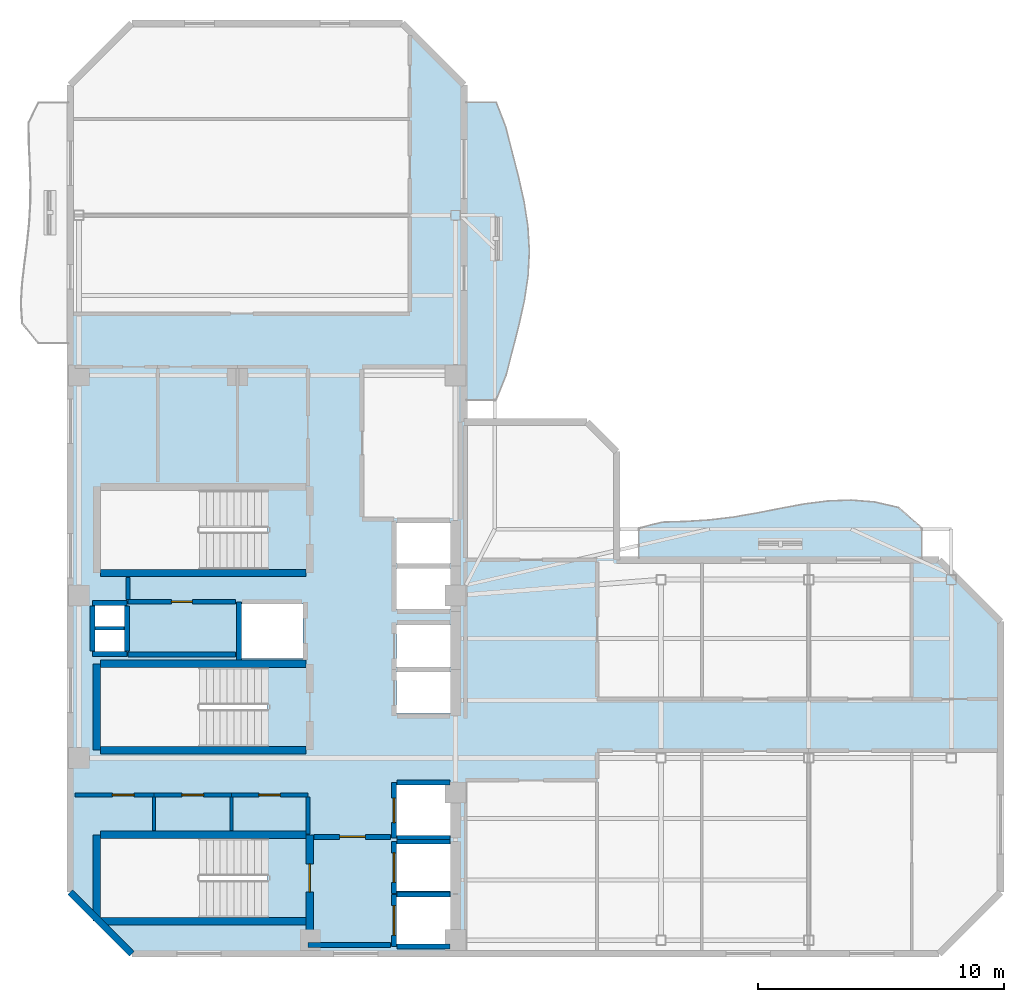
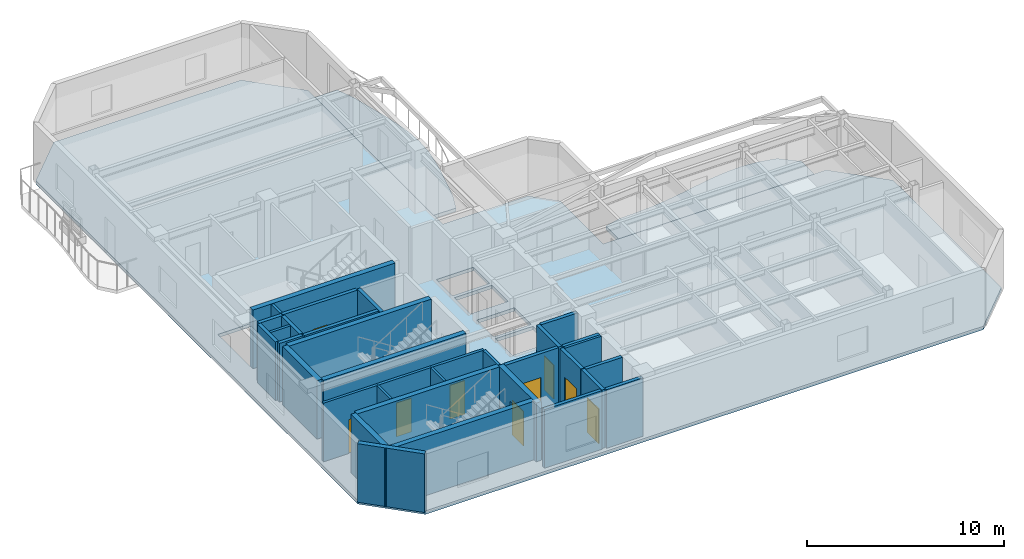
# One storey, part 2 of 7: 34 walls, 9 doors, 3 slabs, 9 openings.
"""IFC4 building model written with IfcOpenShell, lengths in metres."""

from ifc_helpers import new_model, si_unit, direction, frame, frame_2d, origin, place, context, subcontext, project, spatial, polyline, rectangle, outline, extrude, material, layer, layer_set, type_object, element, fill, save


model = new_model("IFC4")

# Units and contexts
model_context = context("Model", 3, precision=1e-05, world=origin(), true_north=direction((0.0, 1.0)))
body_context = subcontext(model_context, "Body", "Model", "MODEL_VIEW")
ifc_project = project(units=[si_unit("LENGTHUNIT", "METRE"), si_unit("AREAUNIT", "SQUARE_METRE"), si_unit("VOLUMEUNIT", "CUBIC_METRE"), si_unit("PLANEANGLEUNIT", "RADIAN"), si_unit("MASSUNIT", "GRAM", prefix="KILO")], contexts=[model_context])

# Site, building, storey
site_placement = place(None, origin())
site = spatial("IfcSite", under=ifc_project, at=site_placement, CompositionType="ELEMENT")
building_placement = place(site_placement, origin())
building = spatial("IfcBuilding", under=site, at=building_placement, Name="Mawjaban Terraces University", CompositionType="ELEMENT")
storey_placement = place(building_placement, frame((0.0, 0.0, 302.800048828125)))
storey = spatial("IfcBuildingStorey", under=building, at=storey_placement, Name="L74", CompositionType="ELEMENT", Elevation=302.800048828125)

# Slabs
ifc_material_1 = material(Name="Concrete C40/50", Category="concrete")
ifc_layer_1 = layer(ifc_material_1, 0.2099609375)
ifc_layer_set_1 = layer_set([ifc_layer_1], Name="Concrete C40/50")
slab_type_1 = type_object("IfcSlabType", Name="BalconySlab_210_Ext", PredefinedType="FLOOR", material=ifc_layer_set_1)
slab_1_placement = place(storey_placement, frame((0.0, 0.0, -0.2099609375)))
element("IfcSlab", 1, at=slab_1_placement, inside=storey, type_object=slab_type_1, Name="L74 Planted Balcony Slab inner_north", PredefinedType="FLOOR", context=body_context, shape_type="SweptSolid", body=[
    extrude(outline(polyline([(45.10009765625, 15.989990234375), (56.60009765625, 15.989990234375), (56.60009765625, 17.300048828125), (55.64208984375, 18.134033203125), (54.68310546875, 18.35400390625), (53.72509765625, 18.431884765625), (52.76708984375, 18.39501953125), (51.80810546875, 18.27099609375), (50.85009765625, 18.093994140625), (49.89208984375, 17.905029296875), (48.93310546875, 17.739990234375), (47.97509765625, 17.625), (47.01708984375, 17.56494140625), (46.05810546875, 17.535888671875), (45.10009765625, 17.300048828125), (45.10009765625, 15.989990234375)])), origin(), (0.0, 0.0, 1.0), 0.2099609375),
])
slab_2_placement = place(storey_placement, frame((0.0, 0.0, -0.2099609375)))
element("IfcSlab", 2, at=slab_2_placement, inside=storey, type_object=slab_type_1, Name="L74 Planted Balcony Slab inner_east", PredefinedType="FLOOR", context=body_context, shape_type="SweptSolid", body=[
    extrude(outline(polyline([(39.300048828125, 22.5), (39.7060546875, 23.508056640625), (39.965087890625, 24.51708984375), (40.222900390625, 25.52490234375), (40.447021484375, 26.532958984375), (40.59912109375, 27.5419921875), (40.64990234375, 28.550048828125), (40.591064453125, 29.55810546875), (40.43408203125, 30.56689453125), (40.20703125, 31.574951171875), (39.948974609375, 32.5830078125), (39.695068359375, 33.592041015625), (39.300048828125, 34.60009765625), (37.989990234375, 34.60009765625), (37.989990234375, 22.5), (39.300048828125, 22.5)])), origin(), (0.0, 0.0, 1.0), 0.2099609375),
])
ifc_layer_2 = layer(ifc_material_1, 0.2099609375)
ifc_layer_set_2 = layer_set([ifc_layer_2], Name="Concrete C40/50")
slab_type_2 = type_object("IfcSlabType", Name="CompositeSlab_210", PredefinedType="FLOOR", material=ifc_layer_set_2)
slab_3_placement = place(storey_placement, frame((0.0, 0.0, -0.2099609375)))
element("IfcSlab", 3, at=slab_3_placement, inside=storey, type_object=slab_type_2, Name="L74 Primary Structural Slab", PredefinedType="FLOOR", context=body_context, shape_type="SweptSolid", body=[
    extrude(outline(polyline([(24.5, 0.0), (57.300048828125, 0.0), (59.800048828125, 2.5), (59.800048828125, 13.5), (57.300048828125, 16.0), (44.199951171875, 16.0), (44.199951171875, 20.39990234375), (43.0, 21.60009765625), (38.0, 21.60009765625), (38.0, 35.300048828125), (35.5, 37.800048828125), (24.5, 37.800048828125), (22.0, 35.300048828125), (22.0, 2.5), (24.5, 0.0)]), holes=[polyline([(30.014892578125, 4.699951171875), (23.199951171875, 4.699951171875), (23.199951171875, 1.449951171875), (30.014892578125, 1.449951171875), (30.014892578125, 4.699951171875)]), polyline([(30.014892578125, 18.85009765625), (23.199951171875, 18.85009765625), (23.199951171875, 15.60009765625), (30.014892578125, 15.60009765625), (30.014892578125, 18.85009765625)]), polyline([(30.014892578125, 11.64990234375), (23.199951171875, 11.64990234375), (23.199951171875, 8.39990234375), (30.014892578125, 8.39990234375), (30.014892578125, 11.64990234375)]), polyline([(35.25, 0.39990234375), (37.449951171875, 0.39990234375), (37.449951171875, 2.300048828125), (35.25, 2.300048828125), (35.25, 0.39990234375)]), polyline([(35.25, 2.550048828125), (37.449951171875, 2.550048828125), (37.449951171875, 4.449951171875), (35.25, 4.449951171875), (35.25, 2.550048828125)]), polyline([(35.25, 4.800048828125), (37.449951171875, 4.800048828125), (37.449951171875, 6.85009765625), (35.25, 6.85009765625), (35.25, 4.800048828125)]), polyline([(35.25, 9.75), (37.449951171875, 9.75), (37.449951171875, 11.449951171875), (35.25, 11.449951171875), (35.25, 9.75)]), polyline([(35.25, 11.64990234375), (37.449951171875, 11.64990234375), (37.449951171875, 13.35009765625), (35.25, 13.35009765625), (35.25, 11.64990234375)]), polyline([(28.949951171875, 12.0), (31.449951171875, 12.0), (31.449951171875, 14.199951171875), (28.949951171875, 14.199951171875), (28.949951171875, 12.0)]), polyline([(35.25, 14.0), (37.449951171875, 14.0), (37.449951171875, 15.64990234375), (35.25, 15.64990234375), (35.25, 14.0)]), polyline([(35.25, 15.85009765625), (37.449951171875, 15.85009765625), (37.449951171875, 17.5), (35.25, 17.5), (35.25, 15.85009765625)]), polyline([(23.0, 12.25), (24.199951171875, 12.25), (24.199951171875, 13.14990234375), (23.0, 13.14990234375), (23.0, 12.25)]), polyline([(23.0, 13.300048828125), (24.199951171875, 13.300048828125), (24.199951171875, 14.179931640625), (23.0, 14.179931640625), (23.0, 13.300048828125)])]), origin(), (0.0, 0.0, 1.0), 0.2099609375),
])

# Wall, opening, door
ifc_material_2 = material(Name="Fire-rated gypsum board on steel stud", Category="steel")
ifc_layer_3 = layer(ifc_material_2, 0.159912109375)
ifc_layer_set_3 = layer_set([ifc_layer_3], Name="Fire-rated gypsum board on steel stud")
wall_type_1 = type_object("IfcWallType", Name="CorridorPartition_160", PredefinedType="PARTITIONING", material=ifc_layer_set_3)
wall_1_placement = place(storey_placement, frame((22.199951171875, 6.449951171875, 0.0), z_axis=(0.0, 0.0, 1.0), x_axis=(1.0, 0.0, 0.0)))
wall_1 = element("IfcWall", 4, at=wall_1_placement, inside=storey, type_object=wall_type_1, Name="L74 Core Washroom Lobby Partition 1", PredefinedType="PARTITIONING", context=body_context, shape_type="SweptSolid", body=[
    extrude(rectangle(XDim=3.199951171875, YDim=0.159912109375, at=frame_2d((1.60009765625, 0.0))), origin(), (0.0, 0.0, 1.0), 3.639892578125),
])
opening_1_placement = place(wall_1_placement, frame((1.510009765625, 0.0, 0.0)))
opening_1 = element("IfcOpeningElement", 5, at=opening_1_placement, cuts=wall_1, Name="Opening ID-088", PredefinedType="OPENING", context=body_context, shape_type="SweptSolid", body=[
    extrude(rectangle(XDim=0.8798828125, YDim=2.10009765625, at=frame_2d((0.43994140625, 1.050048828125))), frame((0.0, 0.08984375, 0.0), z_axis=(0.0, -1.0, 0.0), x_axis=(1.0, 0.0, 0.0)), (0.0, 0.0, 1.0), 0.179931640625),
])
ifc_material_3 = material(Name="Powder-coated steel frame and solid acoustic timber leaf", Category="steel")
door_type_1 = type_object("IfcDoorType", Name="ToiletDoor_880x2100", OperationType="NOTDEFINED", PredefinedType="DOOR", material=ifc_material_3)
door_1_placement = place(opening_1_placement, origin())
door_1 = element("IfcDoor", 6, at=door_1_placement, inside=storey, type_object=door_type_1, Name="L74 Male Toilet Door", OperationType="SINGLE_SWING_RIGHT", OverallHeight=2.10009765625, OverallWidth=0.8798828125, PredefinedType="DOOR", context=body_context, shape_type="SweptSolid", body=[
    extrude(rectangle(XDim=0.8798828125, YDim=2.10009765625, at=frame_2d((0.43994140625, 1.050048828125))), frame((0.0, 0.02490234375, 0.0), z_axis=(0.0, -1.0, 0.0), x_axis=(1.0, 0.0, 0.0)), (0.0, 0.0, 1.0), 0.050048828125),
])
fill(opening_1, door_1)

wall_2_placement = place(storey_placement, frame((25.39990234375, 6.449951171875, 0.0), z_axis=(0.0, 0.0, 1.0), x_axis=(1.0, 0.0, 0.0)))
wall_2 = element("IfcWall", 7, at=wall_2_placement, inside=storey, type_object=wall_type_1, Name="L74 Core Washroom Lobby Partition 4", PredefinedType="PARTITIONING", context=body_context, shape_type="SweptSolid", body=[
    extrude(rectangle(XDim=3.150146484375, YDim=0.159912109375, at=frame_2d((1.5751953125, 0.0))), origin(), (0.0, 0.0, 1.0), 3.639892578125),
])
opening_2_placement = place(wall_2_placement, frame((1.135009765625, 0.0, 0.0)))
opening_2 = element("IfcOpeningElement", 8, at=opening_2_placement, cuts=wall_2, Name="Opening ID-088", PredefinedType="OPENING", context=body_context, shape_type="SweptSolid", body=[
    extrude(rectangle(XDim=0.8798828125, YDim=2.10009765625, at=frame_2d((0.43994140625, 1.050048828125))), frame((0.0, 0.08984375, 0.0), z_axis=(0.0, -1.0, 0.0), x_axis=(1.0, 0.0, 0.0)), (0.0, 0.0, 1.0), 0.179931640625),
])
door_2_placement = place(opening_2_placement, origin())
door_2 = element("IfcDoor", 9, at=door_2_placement, inside=storey, type_object=door_type_1, Name="L74 Female Toilet Door", OperationType="SINGLE_SWING_LEFT", OverallHeight=2.10009765625, OverallWidth=0.8798828125, PredefinedType="DOOR", context=body_context, shape_type="SweptSolid", body=[
    extrude(rectangle(XDim=0.8798828125, YDim=2.10009765625, at=frame_2d((0.43994140625, 1.050048828125))), frame((0.0, 0.02490234375, 0.0), z_axis=(0.0, -1.0, 0.0), x_axis=(1.0, 0.0, 0.0)), (0.0, 0.0, 1.0), 0.050048828125),
])
fill(opening_2, door_2)

wall_3_placement = place(storey_placement, frame((28.550048828125, 6.449951171875, 0.0), z_axis=(0.0, 0.0, 1.0), x_axis=(1.0, 0.0, 0.0)))
wall_3 = element("IfcWall", 10, at=wall_3_placement, inside=storey, type_object=wall_type_1, Name="L74 Core Washroom Lobby Partition 6", PredefinedType="PARTITIONING", context=body_context, shape_type="SweptSolid", body=[
    extrude(rectangle(XDim=3.099853515625, YDim=0.159912109375, at=frame_2d((1.5498046875, 0.0))), origin(), (0.0, 0.0, 1.0), 3.639892578125),
])
opening_3_placement = place(wall_3_placement, frame((1.110107421875, 0.0, 0.0)))
opening_3 = element("IfcOpeningElement", 11, at=opening_3_placement, cuts=wall_3, Name="Opening ID-088", PredefinedType="OPENING", context=body_context, shape_type="SweptSolid", body=[
    extrude(rectangle(XDim=0.8798828125, YDim=2.10009765625, at=frame_2d((0.43994140625, 1.050048828125))), frame((0.0, 0.08984375, 0.0), z_axis=(0.0, -1.0, 0.0), x_axis=(1.0, 0.0, 0.0)), (0.0, 0.0, 1.0), 0.179931640625),
])
door_3_placement = place(opening_3_placement, origin())
door_3 = element("IfcDoor", 12, at=door_3_placement, inside=storey, type_object=door_type_1, Name="L74 Accessible Toilet Door", OperationType="SINGLE_SWING_RIGHT", OverallHeight=2.10009765625, OverallWidth=0.8798828125, PredefinedType="DOOR", context=body_context, shape_type="SweptSolid", body=[
    extrude(rectangle(XDim=0.8798828125, YDim=2.10009765625, at=frame_2d((0.43994140625, 1.050048828125))), frame((0.0, 0.02490234375, 0.0), z_axis=(0.0, -1.0, 0.0), x_axis=(1.0, 0.0, 0.0)), (0.0, 0.0, 1.0), 0.050048828125),
])
fill(opening_3, door_3)

# Walls
wall_4_placement = place(storey_placement, frame((24.35009765625, 15.2900390625, 0.0), z_axis=(0.0, 0.0, 1.0), x_axis=(0.0, -1.0, 0.0)))
element("IfcWall", 13, at=wall_4_placement, inside=storey, type_object=wall_type_1, Name="L74 Core Riser Access Passage Partition 26", PredefinedType="PARTITIONING", context=body_context, shape_type="SweptSolid", body=[
    extrude(rectangle(XDim=0.89501953125, YDim=0.159912109375, at=frame_2d((0.447509765625, 0.0))), origin(), (0.0, 0.0, 1.0), 3.639892578125),
])
wall_5_placement = place(storey_placement, frame((31.64990234375, 4.860107421875, 0.0), z_axis=(0.0, 0.0, 1.0), x_axis=(0.0, 1.0, 0.0)))
element("IfcWall", 14, at=wall_5_placement, inside=storey, type_object=wall_type_1, Name="L74 Accessible Toilet Partition 31", PredefinedType="PARTITIONING", context=body_context, shape_type="SweptSolid", body=[
    extrude(rectangle(XDim=1.514892578125, YDim=0.159912109375, at=frame_2d((0.75732421875, 0.0))), origin(), (0.0, 0.0, 1.0), 3.639892578125),
])
ifc_material_4 = material(Name="Insulated terracotta rainscreen on concrete backup C40/50", Category="masonry")
ifc_layer_4 = layer(ifc_material_4, 0.27490234375)
ifc_layer_set_4 = layer_set([ifc_layer_4], Name="Insulated terracotta rainscreen on concrete backup C40/50")
wall_type_2 = type_object("IfcWallType", Name="ExtTerracottaWall_275", PredefinedType="SOLIDWALL", material=ifc_layer_set_4)
wall_6_placement = place(storey_placement, frame((22.0, 2.5, 0.0), z_axis=(0.0, 0.0, 1.0), x_axis=(0.707106781187, -0.707106781187, 0.0)))
element("IfcWall", 15, at=wall_6_placement, inside=storey, type_object=wall_type_2, Name="L74 Exterior Terracotta Wall 14", PredefinedType="SOLIDWALL", context=body_context, shape_type="SweptSolid", body=[
    extrude(rectangle(XDim=3.53564453125, YDim=0.27490234375, at=frame_2d((1.767822265625, 0.0))), origin(), (0.0, 0.0, 1.0), 3.639892578125),
])

# Wall, opening, door
ifc_layer_5 = layer(ifc_material_1, 0.199951171875)
ifc_layer_set_5 = layer_set([ifc_layer_5], Name="Concrete C40/50")
wall_type_3 = type_object("IfcWallType", Name="FireLobbyWall_200", PredefinedType="SOLIDWALL", material=ifc_layer_set_5)
wall_7_placement = place(storey_placement, frame((35.14990234375, 2.39990234375, 0.0), z_axis=(0.0, 0.0, 1.0), x_axis=(0.0, -1.0, 0.0)))
wall_7 = element("IfcWall", 16, at=wall_7_placement, inside=storey, type_object=wall_type_3, Name="L74 Lift FL-1 Hoistway Wall West", PredefinedType="SOLIDWALL", context=body_context, shape_type="SweptSolid", body=[
    extrude(rectangle(XDim=2.099853515625, YDim=0.199951171875, at=frame_2d((1.0498046875, 0.0))), origin(), (0.0, 0.0, 1.0), 3.639892578125),
])
opening_4_placement = place(wall_7_placement, frame((0.449951171875, 0.0, 0.0)))
opening_4 = element("IfcOpeningElement", 17, at=opening_4_placement, cuts=wall_7, Name="Opening LD-FL-1", PredefinedType="OPENING", context=body_context, shape_type="SweptSolid", body=[
    extrude(rectangle(XDim=1.199951171875, YDim=2.14990234375, at=frame_2d((0.60009765625, 1.074951171875))), frame((0.0, 0.10986328125, 0.0), z_axis=(0.0, -1.0, 0.0), x_axis=(1.0, 0.0, 0.0)), (0.0, 0.0, 1.0), 0.219970703125),
])
ifc_material_5 = material(Name="Powder-coated steel frame and fire-rated steel-faced leaf", Category="steel")
door_type_2 = type_object("IfcDoorType", Name="LiftLandingFSAE_1200x2150", OperationType="NOTDEFINED", PredefinedType="DOOR", material=ifc_material_5)
door_4_placement = place(opening_4_placement, origin())
door_4 = element("IfcDoor", 18, at=door_4_placement, inside=storey, type_object=door_type_2, Name="L74 Lift FL-1 Sliding Landing Door", OperationType="DOUBLE_DOOR_SLIDING", OverallHeight=2.14990234375, OverallWidth=1.199951171875, PredefinedType="DOOR", context=body_context, shape_type="SweptSolid", body=[
    extrude(rectangle(XDim=1.199951171875, YDim=2.14990234375, at=frame_2d((0.60009765625, 1.074951171875))), frame((0.0, 0.02490234375, 0.0), z_axis=(0.0, -1.0, 0.0), x_axis=(1.0, 0.0, 0.0)), (0.0, 0.0, 1.0), 0.050048828125),
])
fill(opening_4, door_4)

# Walls
for number, where, z_axis, x_axis, name in (
    (19, (35.280029296875, 0.300048828125, 0.0), (0.0, 0.0, 1.0), (1.0, 0.0, 0.0), "L74 Lift FL-1 Hoistway Wall South"),
    (20, (37.419921875, 2.39990234375, 0.0), (0.0, 0.0, 1.0), (-1.0, 0.0, 0.0), "L74 Lift FL-1 Hoistway Wall North"),
):
    element("IfcWall", number, at=place(storey_placement, frame(where, z_axis=z_axis, x_axis=x_axis)), inside=storey, type_object=wall_type_3, Name=name, PredefinedType="SOLIDWALL", context=body_context, shape_type="SweptSolid", body=[
        extrude(rectangle(XDim=2.139892578125, YDim=0.199951171875, at=frame_2d((1.06982421875, 0.0))), origin(), (0.0, 0.0, 1.0), 3.639892578125),
    ])

# Wall, opening, door
wall_8_placement = place(storey_placement, frame((35.14990234375, 4.550048828125, 0.0), z_axis=(0.0, 0.0, 1.0), x_axis=(0.0, -1.0, 0.0)))
wall_8 = element("IfcWall", 21, at=wall_8_placement, inside=storey, type_object=wall_type_3, Name="L74 Lift FL-2 Hoistway Wall West", PredefinedType="SOLIDWALL", context=body_context, shape_type="SweptSolid", body=[
    extrude(rectangle(XDim=2.10009765625, YDim=0.199951171875, at=frame_2d((1.050048828125, 0.0))), origin(), (0.0, 0.0, 1.0), 3.639892578125),
])
opening_5_placement = place(wall_8_placement, frame((0.449951171875, 0.0, 0.0)))
opening_5 = element("IfcOpeningElement", 22, at=opening_5_placement, cuts=wall_8, Name="Opening LD-FL-2", PredefinedType="OPENING", context=body_context, shape_type="SweptSolid", body=[
    extrude(rectangle(XDim=1.199951171875, YDim=2.14990234375, at=frame_2d((0.60009765625, 1.074951171875))), frame((0.0, 0.10986328125, 0.0), z_axis=(0.0, -1.0, 0.0), x_axis=(1.0, 0.0, 0.0)), (0.0, 0.0, 1.0), 0.219970703125),
])
door_5_placement = place(opening_5_placement, origin())
door_5 = element("IfcDoor", 23, at=door_5_placement, inside=storey, type_object=door_type_2, Name="L74 Lift FL-2 Sliding Landing Door", OperationType="DOUBLE_DOOR_SLIDING", OverallHeight=2.14990234375, OverallWidth=1.199951171875, PredefinedType="DOOR", context=body_context, shape_type="SweptSolid", body=[
    extrude(rectangle(XDim=1.199951171875, YDim=2.14990234375, at=frame_2d((0.60009765625, 1.074951171875))), frame((0.0, 0.02490234375, 0.0), z_axis=(0.0, -1.0, 0.0), x_axis=(1.0, 0.0, 0.0)), (0.0, 0.0, 1.0), 0.050048828125),
])
fill(opening_5, door_5)

# Wall
wall_9_placement = place(storey_placement, frame((37.419921875, 4.550048828125, 0.0), z_axis=(0.0, 0.0, 1.0), x_axis=(-1.0, 0.0, 0.0)))
element("IfcWall", 24, at=wall_9_placement, inside=storey, type_object=wall_type_3, Name="L74 Lift FL-2 Hoistway Wall North", PredefinedType="SOLIDWALL", context=body_context, shape_type="SweptSolid", body=[
    extrude(rectangle(XDim=2.139892578125, YDim=0.199951171875, at=frame_2d((1.06982421875, 0.0))), origin(), (0.0, 0.0, 1.0), 3.639892578125),
])

# Wall, opening, door
wall_10_placement = place(storey_placement, frame((35.14990234375, 6.949951171875, 0.0), z_axis=(0.0, 0.0, 1.0), x_axis=(0.0, -1.0, 0.0)))
wall_10 = element("IfcWall", 25, at=wall_10_placement, inside=storey, type_object=wall_type_3, Name="L74 Lift SL-1 Hoistway Wall West", PredefinedType="SOLIDWALL", context=body_context, shape_type="SweptSolid", body=[
    extrude(rectangle(XDim=2.25, YDim=0.199951171875, at=frame_2d((1.125, 0.0))), origin(), (0.0, 0.0, 1.0), 3.639892578125),
])
opening_6_placement = place(wall_10_placement, frame((0.625, 0.0, 0.0)))
opening_6 = element("IfcOpeningElement", 26, at=opening_6_placement, cuts=wall_10, Name="Opening LD-SL-1", PredefinedType="OPENING", context=body_context, shape_type="SweptSolid", body=[
    extrude(rectangle(XDim=1.0, YDim=2.10009765625, at=frame_2d((0.5, 1.050048828125))), frame((0.0, 0.10986328125, 0.0), z_axis=(0.0, -1.0, 0.0), x_axis=(1.0, 0.0, 0.0)), (0.0, 0.0, 1.0), 0.219970703125),
])
door_type_3 = type_object("IfcDoorType", Name="LiftLandingSliding_1000x2100", OperationType="NOTDEFINED", PredefinedType="DOOR", material=ifc_material_5)
door_6_placement = place(opening_6_placement, origin())
door_6 = element("IfcDoor", 27, at=door_6_placement, inside=storey, type_object=door_type_3, Name="L74 Lift SL-1 Sliding Landing Door", OperationType="DOUBLE_DOOR_SLIDING", OverallHeight=2.10009765625, OverallWidth=1.0, PredefinedType="DOOR", context=body_context, shape_type="SweptSolid", body=[
    extrude(rectangle(XDim=1.0, YDim=2.10009765625, at=frame_2d((0.5, 1.050048828125))), frame((0.0, 0.02490234375, 0.0), z_axis=(0.0, -1.0, 0.0), x_axis=(1.0, 0.0, 0.0)), (0.0, 0.0, 1.0), 0.050048828125),
])
fill(opening_6, door_6)

# Walls
for number, where, z_axis, x_axis, name in (
    (28, (35.280029296875, 4.699951171875, 0.0), (0.0, 0.0, 1.0), (1.0, 0.0, 0.0), "L74 Lift SL-1 Hoistway Wall South"),
    (29, (37.419921875, 6.949951171875, 0.0), (0.0, 0.0, 1.0), (-1.0, 0.0, 0.0), "L74 Lift SL-1 Hoistway Wall North"),
):
    element("IfcWall", number, at=place(storey_placement, frame(where, z_axis=z_axis, x_axis=x_axis)), inside=storey, type_object=wall_type_3, Name=name, PredefinedType="SOLIDWALL", context=body_context, shape_type="SweptSolid", body=[
        extrude(rectangle(XDim=2.139892578125, YDim=0.199951171875, at=frame_2d((1.06982421875, 0.0))), origin(), (0.0, 0.0, 1.0), 3.639892578125),
    ])
wall_11_placement = place(storey_placement, frame((28.85009765625, 14.300048828125, 0.0), z_axis=(0.0, 0.0, 1.0), x_axis=(0.0, -1.0, 0.0)))
element("IfcWall", 30, at=wall_11_placement, inside=storey, type_object=wall_type_3, Name="L74 Lift PL-H3 Hoistway Wall West", PredefinedType="SOLIDWALL", context=body_context, shape_type="SweptSolid", body=[
    extrude(rectangle(XDim=2.3701171875, YDim=0.199951171875, at=frame_2d((1.18505859375, 0.0))), origin(), (0.0, 0.0, 1.0), 3.639892578125),
])
for number, where, z_axis, x_axis, name in (
    (31, (22.89990234375, 14.25, 0.0), (0.0, 0.0, 1.0), (1.0, 0.0, 0.0), "L74 MEP Riser Shaft Wall N"),
    (32, (22.89990234375, 12.179931640625, 0.0), (0.0, 0.0, 1.0), (1.0, 0.0, 0.0), "L74 MEP Riser Shaft Wall S"),
):
    element("IfcWall", number, at=place(storey_placement, frame(where, z_axis=z_axis, x_axis=x_axis)), inside=storey, type_object=wall_type_3, Name=name, PredefinedType="SOLIDWALL", context=body_context, shape_type="SweptSolid", body=[
        extrude(rectangle(XDim=1.400146484375, YDim=0.199951171875, at=frame_2d((0.7001953125, 0.0))), origin(), (0.0, 0.0, 1.0), 3.639892578125),
    ])
for number, where, z_axis, x_axis, name in (
    (33, (24.300048828125, 12.300048828125, 0.0), (0.0, 0.0, 1.0), (0.0, 1.0, 0.0), "L74 MEP Riser Shaft Wall E"),
    (34, (22.89990234375, 12.300048828125, 0.0), (0.0, 0.0, 1.0), (0.0, 1.0, 0.0), "L74 MEP Riser Shaft Wall W"),
):
    element("IfcWall", number, at=place(storey_placement, frame(where, z_axis=z_axis, x_axis=x_axis)), inside=storey, type_object=wall_type_3, Name=name, PredefinedType="SOLIDWALL", context=body_context, shape_type="SweptSolid", body=[
        extrude(rectangle(XDim=1.829833984375, YDim=0.199951171875, at=frame_2d((0.9150390625, 0.0))), origin(), (0.0, 0.0, 1.0), 3.639892578125),
    ])
wall_12_placement = place(storey_placement, frame((24.35009765625, 12.14990234375, 0.0), z_axis=(0.0, 0.0, 1.0), x_axis=(1.0, 0.0, 0.0)))
element("IfcWall", 35, at=wall_12_placement, inside=storey, type_object=wall_type_3, Name="L74 IT and Telecoms Riser Room Partition 2", PredefinedType="SOLIDWALL", context=body_context, shape_type="SweptSolid", body=[
    extrude(rectangle(XDim=4.369873046875, YDim=0.199951171875, at=frame_2d((2.18505859375, 0.0))), origin(), (0.0, 0.0, 1.0), 3.639892578125),
])

# Wall, opening, door
wall_13_placement = place(storey_placement, frame((24.35009765625, 14.300048828125, 0.0), z_axis=(0.0, 0.0, 1.0), x_axis=(1.0, 0.0, 0.0)))
wall_13 = element("IfcWall", 36, at=wall_13_placement, inside=storey, type_object=wall_type_3, Name="L74 Core Riser Access Passage Partition 3", PredefinedType="SOLIDWALL", context=body_context, shape_type="SweptSolid", body=[
    extrude(rectangle(XDim=4.369873046875, YDim=0.199951171875, at=frame_2d((2.18505859375, 0.0))), origin(), (0.0, 0.0, 1.0), 3.639892578125),
])
opening_7_placement = place(wall_13_placement, frame((1.760009765625, 0.0, 0.0)))
opening_7 = element("IfcOpeningElement", 37, at=opening_7_placement, cuts=wall_13, Name="Opening FD-085", PredefinedType="OPENING", context=body_context, shape_type="SweptSolid", body=[
    extrude(rectangle(XDim=0.85009765625, YDim=2.10009765625, at=frame_2d((0.425048828125, 1.050048828125))), frame((0.0, 0.10986328125, 0.0), z_axis=(0.0, -1.0, 0.0), x_axis=(1.0, 0.0, 0.0)), (0.0, 0.0, 1.0), 0.219970703125),
])
door_type_4 = type_object("IfcDoorType", Name="FireRiserDoor_850x2100", OperationType="NOTDEFINED", PredefinedType="DOOR", material=ifc_material_5)
door_7_placement = place(opening_7_placement, origin())
door_7 = element("IfcDoor", 38, at=door_7_placement, inside=storey, type_object=door_type_4, Name="L74 IT and Telecoms Riser Room Door", OperationType="SINGLE_SWING_LEFT", OverallHeight=2.10009765625, OverallWidth=0.85009765625, PredefinedType="DOOR", context=body_context, shape_type="SweptSolid", body=[
    extrude(rectangle(XDim=0.85009765625, YDim=2.10009765625, at=frame_2d((0.425048828125, 1.050048828125))), frame((0.0, 0.02490234375, 0.0), z_axis=(0.0, -1.0, 0.0), x_axis=(1.0, 0.0, 0.0)), (0.0, 0.0, 1.0), 0.050048828125),
])
fill(opening_7, door_7)

# Wall
wall_14_placement = place(storey_placement, frame((31.64990234375, 0.35009765625, 0.0), z_axis=(0.0, 0.0, 1.0), x_axis=(1.0, 0.0, 0.0)))
element("IfcWall", 39, at=wall_14_placement, inside=storey, type_object=wall_type_3, Name="L74 Firefighting Lift Lobby Partition 8", PredefinedType="SOLIDWALL", context=body_context, shape_type="SweptSolid", body=[
    extrude(rectangle(XDim=3.3701171875, YDim=0.199951171875, at=frame_2d((1.68505859375, 0.0))), origin(), (0.0, 0.0, 1.0), 3.639892578125),
])

# Wall, opening, door
wall_15_placement = place(storey_placement, frame((35.02001953125, 4.75, 0.0), z_axis=(0.0, 0.0, 1.0), x_axis=(-1.0, 0.0, 0.0)))
wall_15 = element("IfcWall", 40, at=wall_15_placement, inside=storey, type_object=wall_type_3, Name="L74 Firefighting Lift Lobby Partition 11", PredefinedType="SOLIDWALL", context=body_context, shape_type="SweptSolid", body=[
    extrude(rectangle(XDim=3.110107421875, YDim=0.199951171875, at=frame_2d((1.55517578125, 0.0))), origin(), (0.0, 0.0, 1.0), 3.639892578125),
])
opening_8_placement = place(wall_15_placement, frame((1.030029296875, 0.0, 0.0)))
opening_8 = element("IfcOpeningElement", 41, at=opening_8_placement, cuts=wall_15, Name="Opening FD-105", PredefinedType="OPENING", context=body_context, shape_type="SweptSolid", body=[
    extrude(rectangle(XDim=1.050048828125, YDim=2.14990234375, at=frame_2d((0.52490234375, 1.074951171875))), frame((0.0, 0.10986328125, 0.0), z_axis=(0.0, -1.0, 0.0), x_axis=(1.0, 0.0, 0.0)), (0.0, 0.0, 1.0), 0.219970703125),
])
door_type_5 = type_object("IfcDoorType", Name="FireLobbyDoor_1050x2150", OperationType="NOTDEFINED", PredefinedType="DOOR", material=ifc_material_5)
door_8_placement = place(opening_8_placement, origin())
door_8 = element("IfcDoor", 42, at=door_8_placement, inside=storey, type_object=door_type_5, Name="L74 Firefighting Lift Lobby Door", OperationType="SINGLE_SWING_LEFT", OverallHeight=2.14990234375, OverallWidth=1.050048828125, PredefinedType="DOOR", context=body_context, shape_type="SweptSolid", body=[
    extrude(rectangle(XDim=1.050048828125, YDim=2.14990234375, at=frame_2d((0.52490234375, 1.074951171875))), frame((0.0, 0.02490234375, 0.0), z_axis=(0.0, -1.0, 0.0), x_axis=(1.0, 0.0, 0.0)), (0.0, 0.0, 1.0), 0.050048828125),
])
fill(opening_8, door_8)

# Walls
ifc_material_6 = material(Name="Moisture-resistant gypsum board on steel stud", Category="steel")
ifc_layer_6 = layer(ifc_material_6, 0.14501953125)
ifc_layer_set_6 = layer_set([ifc_layer_6], Name="Moisture-resistant gypsum board on steel stud")
wall_type_4 = type_object("IfcWallType", Name="LabPartition_145", PredefinedType="PARTITIONING", material=ifc_layer_set_6)
wall_16_placement = place(storey_placement, frame((23.010009765625, 13.22509765625, 0.0), z_axis=(0.0, 0.0, 1.0), x_axis=(1.0, 0.0, 0.0)))
element("IfcWall", 43, at=wall_16_placement, inside=storey, type_object=wall_type_4, Name="L74 MEP Riser Shaft Wall M", PredefinedType="PARTITIONING", context=body_context, shape_type="SweptSolid", body=[
    extrude(rectangle(XDim=1.179931640625, YDim=0.14501953125, at=frame_2d((0.58984375, 0.0))), origin(), (0.0, 0.0, 1.0), 3.639892578125),
])
ifc_material_7 = material(Name="Concrete C60/75", Category="concrete")
ifc_layer_7 = layer(ifc_material_7, 0.300048828125)
ifc_layer_set_7 = layer_set([ifc_layer_7], Name="Concrete C60/75")
wall_type_5 = type_object("IfcWallType", Name="StairShaftWall_300", PredefinedType="SHEAR", material=ifc_layer_set_7)
wall_17_placement = place(storey_placement, frame((31.580078125, 4.830078125, 0.0), z_axis=(0.0, 0.0, 1.0), x_axis=(-1.0, 0.0, 0.0)))
element("IfcWall", 44, at=wall_17_placement, inside=storey, type_object=wall_type_5, Name="L74 ST-1 Stair Shaft Wall 1", PredefinedType="SHEAR", context=body_context, shape_type="SweptSolid", body=[
    extrude(rectangle(XDim=8.360107421875, YDim=0.300048828125, at=frame_2d((4.18017578125, 0.0))), origin(), (0.0, 0.0, 1.0), 3.639892578125),
])
wall_18_placement = place(storey_placement, frame((23.070068359375, 4.830078125, 0.0), z_axis=(0.0, 0.0, 1.0), x_axis=(0.0, -1.0, 0.0)))
element("IfcWall", 45, at=wall_18_placement, inside=storey, type_object=wall_type_5, Name="L74 ST-1 Stair Shaft Wall 2", PredefinedType="SHEAR", context=body_context, shape_type="SweptSolid", body=[
    extrude(rectangle(XDim=3.510009765625, YDim=0.300048828125, at=frame_2d((1.7548828125, 0.0))), origin(), (0.0, 0.0, 1.0), 3.639892578125),
])
wall_19_placement = place(storey_placement, frame((23.219970703125, 1.320068359375, 0.0), z_axis=(0.0, 0.0, 1.0), x_axis=(1.0, 0.0, 0.0)))
element("IfcWall", 46, at=wall_19_placement, inside=storey, type_object=wall_type_5, Name="L74 ST-1 Stair Shaft Wall 3", PredefinedType="SHEAR", context=body_context, shape_type="SweptSolid", body=[
    extrude(rectangle(XDim=8.360107421875, YDim=0.300048828125, at=frame_2d((4.18017578125, 0.0))), origin(), (0.0, 0.0, 1.0), 3.639892578125),
])

# Wall, opening, door
wall_20_placement = place(storey_placement, frame((31.72998046875, 0.9599609375, 0.0), z_axis=(0.0, 0.0, 1.0), x_axis=(0.0, 1.0, 0.0)))
wall_20 = element("IfcWall", 47, at=wall_20_placement, inside=storey, type_object=wall_type_5, Name="L74 ST-1 Stair Shaft Wall 4", PredefinedType="SHEAR", context=body_context, shape_type="SweptSolid", body=[
    extrude(rectangle(XDim=3.8701171875, YDim=0.300048828125, at=frame_2d((1.93505859375, 0.0))), origin(), (0.0, 0.0, 1.0), 3.639892578125),
])
opening_9_placement = place(wall_20_placement, frame((1.5400390625, 0.0, 0.0)))
opening_9 = element("IfcOpeningElement", 48, at=opening_9_placement, cuts=wall_20, Name="Opening FD-115", PredefinedType="OPENING", context=body_context, shape_type="SweptSolid", body=[
    extrude(rectangle(XDim=1.14990234375, YDim=2.14990234375, at=frame_2d((0.574951171875, 1.074951171875))), frame((0.0, 0.159912109375, 0.0), z_axis=(0.0, -1.0, 0.0), x_axis=(1.0, 0.0, 0.0)), (0.0, 0.0, 1.0), 0.320068359375),
])
door_type_6 = type_object("IfcDoorType", Name="FireStairDoor_1150x2150", OperationType="NOTDEFINED", PredefinedType="DOOR", material=ifc_material_5)
door_9_placement = place(opening_9_placement, origin())
door_9 = element("IfcDoor", 49, at=door_9_placement, inside=storey, type_object=door_type_6, Name="L74 ST-1 Pressurised Stair Fire Door", OperationType="SINGLE_SWING_RIGHT", OverallHeight=2.14990234375, OverallWidth=1.14990234375, PredefinedType="DOOR", context=body_context, shape_type="SweptSolid", body=[
    extrude(rectangle(XDim=1.14990234375, YDim=2.14990234375, at=frame_2d((0.574951171875, 1.074951171875))), frame((0.0, 0.02490234375, 0.0), z_axis=(0.0, -1.0, 0.0), x_axis=(1.0, 0.0, 0.0)), (0.0, 0.0, 1.0), 0.050048828125),
])
fill(opening_9, door_9)

# Walls
for number, where, z_axis, x_axis, name in (
    (50, (23.219970703125, 15.469970703125, 0.0), (0.0, 0.0, 1.0), (1.0, 0.0, 0.0), "L74 ST-2 Stair Shaft Wall 3"),
    (51, (31.580078125, 11.780029296875, 0.0), (0.0, 0.0, 1.0), (-1.0, 0.0, 0.0), "L74 ST-3 Stair Shaft Wall 1"),
):
    element("IfcWall", number, at=place(storey_placement, frame(where, z_axis=z_axis, x_axis=x_axis)), inside=storey, type_object=wall_type_5, Name=name, PredefinedType="SHEAR", context=body_context, shape_type="SweptSolid", body=[
        extrude(rectangle(XDim=8.360107421875, YDim=0.300048828125, at=frame_2d((4.18017578125, 0.0))), origin(), (0.0, 0.0, 1.0), 3.639892578125),
    ])
wall_21_placement = place(storey_placement, frame((23.070068359375, 11.780029296875, 0.0), z_axis=(0.0, 0.0, 1.0), x_axis=(0.0, -1.0, 0.0)))
element("IfcWall", 52, at=wall_21_placement, inside=storey, type_object=wall_type_5, Name="L74 ST-3 Stair Shaft Wall 2", PredefinedType="SHEAR", context=body_context, shape_type="SweptSolid", body=[
    extrude(rectangle(XDim=3.510009765625, YDim=0.300048828125, at=frame_2d((1.7548828125, 0.0))), origin(), (0.0, 0.0, 1.0), 3.639892578125),
])
wall_22_placement = place(storey_placement, frame((23.219970703125, 8.27001953125, 0.0), z_axis=(0.0, 0.0, 1.0), x_axis=(1.0, 0.0, 0.0)))
element("IfcWall", 53, at=wall_22_placement, inside=storey, type_object=wall_type_5, Name="L74 ST-3 Stair Shaft Wall 3", PredefinedType="SHEAR", context=body_context, shape_type="SweptSolid", body=[
    extrude(rectangle(XDim=8.360107421875, YDim=0.300048828125, at=frame_2d((4.18017578125, 0.0))), origin(), (0.0, 0.0, 1.0), 3.639892578125),
])
ifc_material_8 = material(Name="Cement-board wet-room partition", Category="masonry")
ifc_layer_8 = layer(ifc_material_8, 0.135009765625)
ifc_layer_set_8 = layer_set([ifc_layer_8], Name="Cement-board wet-room partition")
wall_type_6 = type_object("IfcWallType", Name="WetRoomPartition_135", PredefinedType="PARTITIONING", material=ifc_layer_set_8)
for number, where, z_axis, x_axis, name in (
    (54, (25.39990234375, 5.010009765625, 0.0), (0.0, 0.0, 1.0), (0.0, 1.0, 0.0), "L74 Male Toilet Partition 27"),
    (55, (28.550048828125, 5.010009765625, 0.0), (0.0, 0.0, 1.0), (0.0, 1.0, 0.0), "L74 Female Toilet Partition 29"),
):
    element("IfcWall", number, at=place(storey_placement, frame(where, z_axis=z_axis, x_axis=x_axis)), inside=storey, type_object=wall_type_6, Name=name, PredefinedType="PARTITIONING", context=body_context, shape_type="SweptSolid", body=[
        extrude(rectangle(XDim=1.364990234375, YDim=0.135009765625, at=frame_2d((0.6826171875, 0.0))), origin(), (0.0, 0.0, 1.0), 3.639892578125),
    ])

save(model, "model.ifc")
